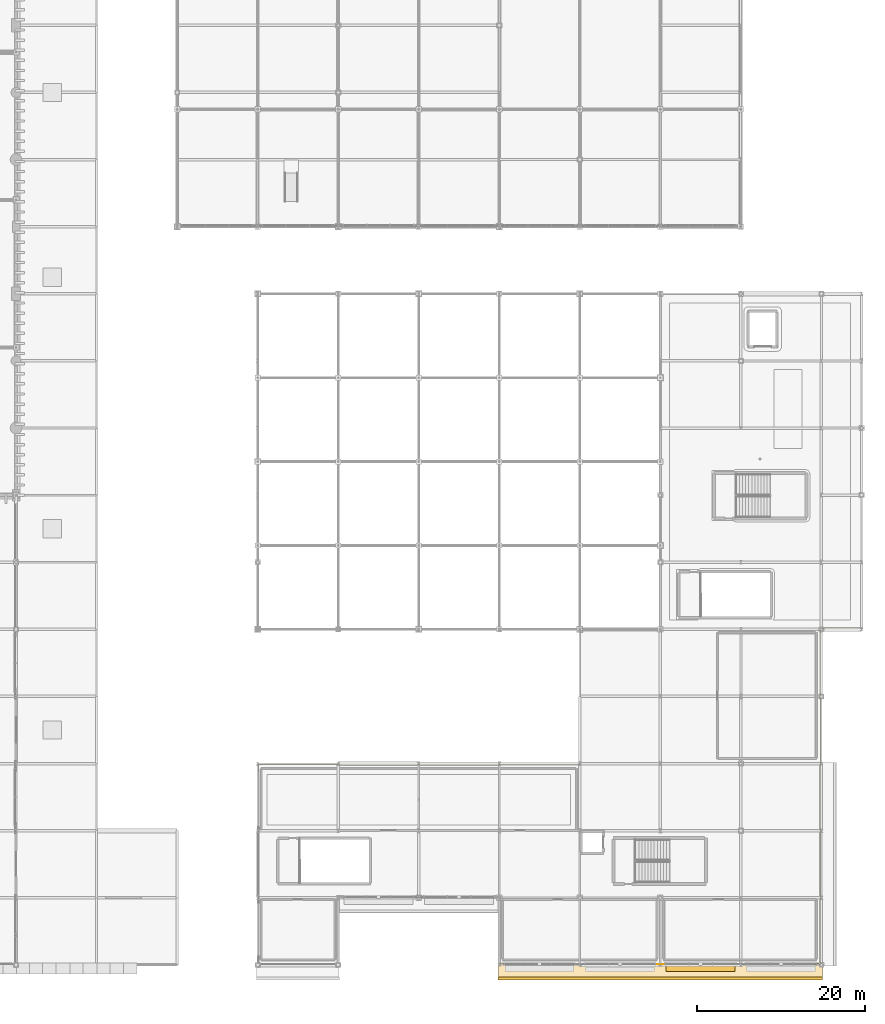
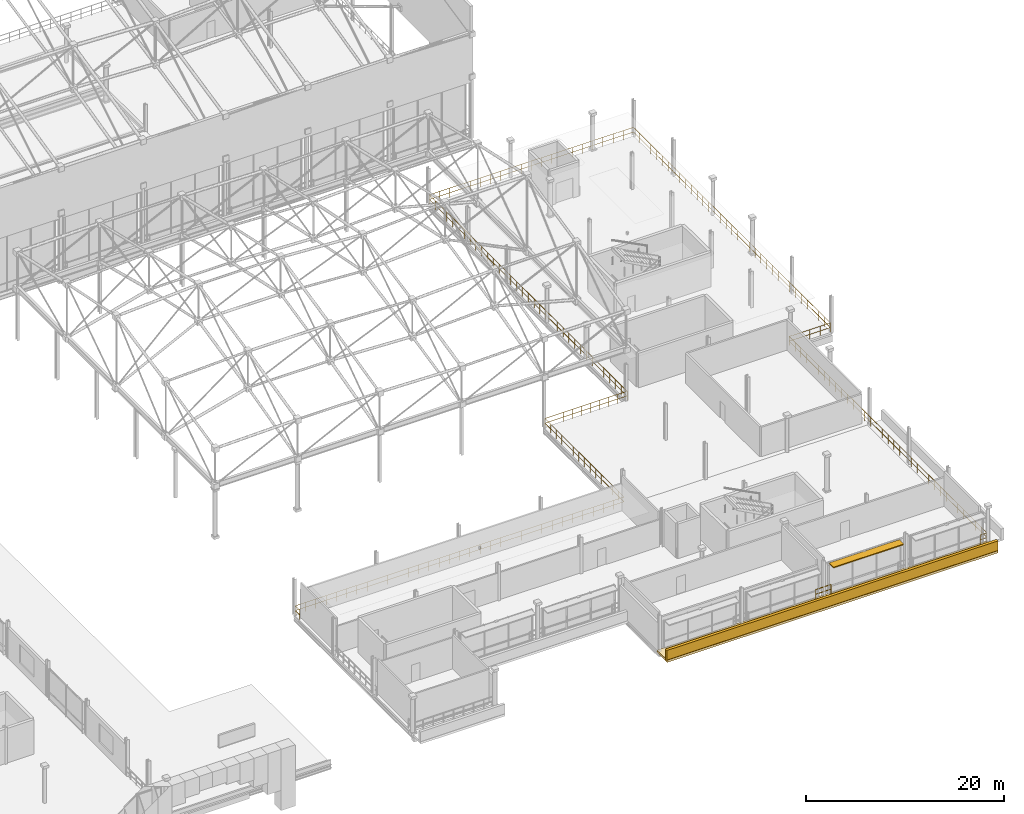
# One storey, part 186 of 193: 2 coverings, 2 railings, 1 shading device.
"""IFC4 building model written with IfcOpenShell, lengths in metres."""

from ifc_helpers import new_model, si_unit, direction, frame, origin, origin_2d, place, context, subcontext, project, spatial, rectangle, circle, extrude, material, layer, layer_set, type_object, element, save


model = new_model("IFC4")

# Units and contexts
model_context = context("Model", 3, precision=1e-05, world=origin(), true_north=direction((0.0, 1.0)))
body_context = subcontext(model_context, "Body", "Model", "MODEL_VIEW")
ifc_project = project(units=[si_unit("LENGTHUNIT", "METRE"), si_unit("AREAUNIT", "SQUARE_METRE"), si_unit("VOLUMEUNIT", "CUBIC_METRE"), si_unit("PLANEANGLEUNIT", "RADIAN"), si_unit("MASSUNIT", "GRAM", prefix="KILO")], contexts=[model_context])

# Site, building, storey
site_placement = place(None, origin())
site = spatial("IfcSite", under=ifc_project, at=site_placement, CompositionType="ELEMENT")
building_placement = place(site_placement, origin())
building = spatial("IfcBuilding", under=site, at=building_placement, Name="Danafjord Basin Convention Centre", CompositionType="ELEMENT")
storey_placement = place(building_placement, frame((0.0, 0.0, 11.39990234375)))
storey = spatial("IfcBuildingStorey", under=building, at=storey_placement, Name="L02", CompositionType="ELEMENT", Elevation=11.39990234375)

# Coverings
ifc_material_1 = material(Name="Architectural white precast concrete C45/55", Category="concrete")
ifc_layer = layer(ifc_material_1, 0.320068359375)
ifc_layer_set = layer_set([ifc_layer], Name="Architectural white precast concrete C45/55")
covering_type = type_object("IfcCoveringType", Name="COV-BAND-HORIZ", PredefinedType="CLADDING", material=ifc_layer_set)
covering_1_placement = place(storey_placement, frame((192.0, -0.77490234375, -0.27978515625), z_axis=(0.0, 0.0, 1.0), x_axis=(1.0, 0.0, 0.0)))
element("IfcCovering", 1, at=covering_1_placement, inside=storey, type_object=covering_type, Name="L02 stepped horizontal band soffit plate 65", PredefinedType="CLADDING", context=body_context, shape_type="SweptSolid", body=[
    extrude(rectangle(XDim=38.639892578125, YDim=2.050048828125, at=origin_2d()), origin(), (0.0, 0.0, 1.0), 0.280029296875),
])
covering_2_placement = place(storey_placement, frame((192.0, -1.610107421875, -0.23974609375), z_axis=(0.0, 0.0, 1.0), x_axis=(1.0, 0.0, 0.0)))
element("IfcCovering", 2, at=covering_2_placement, inside=storey, type_object=covering_type, Name="L02 layered horizontal white spandrel band 65", PredefinedType="CLADDING", context=body_context, shape_type="SweptSolid", body=[
    extrude(rectangle(XDim=38.679931640625, YDim=0.320068359375, at=origin_2d()), origin(), (0.0, 0.0, 1.0), 1.419921875),
])

# Railings
ifc_material_2 = material(Name="Laminated structural glass and stainless steel", Category="steel")
railing_type = type_object("IfcRailingType", Name="RL-BAL-GLS", PredefinedType="BALUSTRADE", material=ifc_material_2)
railing_1_placement = place(storey_placement, frame((144.080078125, 23.028076171875, 0.0)))
element("IfcRailing", 3, at=railing_1_placement, inside=storey, type_object=railing_type, Name="L02 safety guard balustrade 135", PredefinedType="BALUSTRADE", context=body_context, shape_type="SweptSolid", body=[
    extrude(circle(Radius=0.02392578125, at=origin_2d()), frame((0.0, 0.0, 1.1259765625), z_axis=(0.0, 1.0, 0.0), x_axis=(-1.0, 0.0, 0.0)), (0.0, 0.0, 1.0), 0.891845703125),
    extrude(circle(Radius=0.02392578125, at=origin_2d()), frame((0.0, 0.0, 0.55078125), z_axis=(0.0, 1.0, 0.0), x_axis=(-1.0, 0.0, 0.0)), (0.0, 0.0, 1.0), 0.891845703125),
    extrude(circle(Radius=0.02392578125, at=origin_2d()), frame((0.0, 0.891845703125, 1.1259765625), z_axis=(1.0, 0.0, 0.0), x_axis=(0.0, 1.0, 0.0)), (0.0, 0.0, 1.0), 38.39990234375),
    extrude(circle(Radius=0.02392578125, at=origin_2d()), frame((0.0, 0.891845703125, 0.55078125), z_axis=(1.0, 0.0, 0.0), x_axis=(0.0, 1.0, 0.0)), (0.0, 0.0, 1.0), 38.39990234375),
    extrude(circle(Radius=0.02392578125, at=origin_2d()), frame((38.39990234375, 0.891845703125, 1.1259765625), z_axis=(0.0, 1.0, 0.0), x_axis=(-1.0, 0.0, 0.0)), (0.0, 0.0, 1.0), 16.0),
    extrude(circle(Radius=0.02392578125, at=origin_2d()), frame((38.39990234375, 0.891845703125, 0.55078125), z_axis=(0.0, 1.0, 0.0), x_axis=(-1.0, 0.0, 0.0)), (0.0, 0.0, 1.0), 16.0),
    extrude(circle(Radius=0.02392578125, at=origin_2d()), frame((38.39990234375, 16.891845703125, 1.1259765625), z_axis=(1.0, 0.0, 0.0), x_axis=(0.0, 1.0, 0.0)), (0.0, 0.0, 1.0), 9.60009765625),
    extrude(circle(Radius=0.02392578125, at=origin_2d()), frame((38.39990234375, 16.891845703125, 0.55078125), z_axis=(1.0, 0.0, 0.0), x_axis=(0.0, 1.0, 0.0)), (0.0, 0.0, 1.0), 9.60009765625),
    extrude(circle(Radius=0.02392578125, at=origin_2d()), frame((48.0, 16.891845703125, 1.1259765625), z_axis=(0.0, 1.0, 0.0), x_axis=(-1.0, 0.0, 0.0)), (0.0, 0.0, 1.0), 40.0),
    extrude(circle(Radius=0.02392578125, at=origin_2d()), frame((48.0, 16.891845703125, 0.55078125), z_axis=(0.0, 1.0, 0.0), x_axis=(-1.0, 0.0, 0.0)), (0.0, 0.0, 1.0), 40.0),
    extrude(circle(Radius=0.02392578125, at=origin_2d()), frame((48.0, 56.891845703125, 1.1259765625), z_axis=(1.0, 0.0, 0.0), x_axis=(0.0, 1.0, 0.0)), (0.0, 0.0, 1.0), 23.83984375),
    extrude(circle(Radius=0.02392578125, at=origin_2d()), frame((48.0, 56.891845703125, 0.55078125), z_axis=(1.0, 0.0, 0.0), x_axis=(0.0, 1.0, 0.0)), (0.0, 0.0, 1.0), 23.83984375),
    extrude(circle(Radius=0.02392578125, at=origin_2d()), frame((71.83984375, 56.891845703125, 1.1259765625), z_axis=(0.0, -1.0, 0.0), x_axis=(1.0, 0.0, 0.0)), (0.0, 0.0, 1.0), 39.83984375),
    extrude(circle(Radius=0.02392578125, at=origin_2d()), frame((71.83984375, 56.891845703125, 0.55078125), z_axis=(0.0, -1.0, 0.0), x_axis=(1.0, 0.0, 0.0)), (0.0, 0.0, 1.0), 39.83984375),
    extrude(circle(Radius=0.02392578125, at=origin_2d()), frame((71.83984375, 17.052001953125, 1.1259765625), z_axis=(-1.0, 0.0, 0.0), x_axis=(0.0, -1.0, 0.0)), (0.0, 0.0, 1.0), 4.7998046875),
    extrude(circle(Radius=0.02392578125, at=origin_2d()), frame((71.83984375, 17.052001953125, 0.55078125), z_axis=(-1.0, 0.0, 0.0), x_axis=(0.0, -1.0, 0.0)), (0.0, 0.0, 1.0), 4.7998046875),
    extrude(circle(Radius=0.02392578125, at=origin_2d()), frame((67.0400390625, 17.052001953125, 1.1259765625), z_axis=(0.0, -1.0, 0.0), x_axis=(1.0, 0.0, 0.0)), (0.0, 0.0, 1.0), 40.0),
    extrude(circle(Radius=0.02392578125, at=origin_2d()), frame((67.0400390625, 17.052001953125, 0.55078125), z_axis=(0.0, -1.0, 0.0), x_axis=(1.0, 0.0, 0.0)), (0.0, 0.0, 1.0), 40.0),
    extrude(circle(Radius=0.02392578125, at=origin_2d()), frame((67.0400390625, -22.947998046875, 1.1259765625), z_axis=(-1.0, 0.0, 0.0), x_axis=(0.0, -1.0, 0.0)), (0.0, 0.0, 1.0), 0.800048828125),
    extrude(circle(Radius=0.02392578125, at=origin_2d()), frame((67.0400390625, -22.947998046875, 0.55078125), z_axis=(-1.0, 0.0, 0.0), x_axis=(0.0, -1.0, 0.0)), (0.0, 0.0, 1.0), 0.800048828125),
    extrude(circle(Radius=0.02099609375, at=origin_2d()), origin(), (0.0, 0.0, 1.0), 1.099853515625),
    extrude(circle(Radius=0.02099609375, at=origin_2d()), frame((0.0, 0.891845703125, 0.0)), (0.0, 0.0, 1.0), 1.099853515625),
    extrude(circle(Radius=0.02099609375, at=origin_2d()), frame((1.199951171875, 0.891845703125, 0.0)), (0.0, 0.0, 1.0), 1.099853515625),
    extrude(circle(Radius=0.02099609375, at=origin_2d()), frame((2.39990234375, 0.891845703125, 0.0)), (0.0, 0.0, 1.0), 1.099853515625),
    extrude(circle(Radius=0.02099609375, at=origin_2d()), frame((3.60009765625, 0.891845703125, 0.0)), (0.0, 0.0, 1.0), 1.099853515625),
    extrude(circle(Radius=0.02099609375, at=origin_2d()), frame((4.800048828125, 0.891845703125, 0.0)), (0.0, 0.0, 1.0), 1.099853515625),
    extrude(circle(Radius=0.02099609375, at=origin_2d()), frame((6.0, 0.891845703125, 0.0)), (0.0, 0.0, 1.0), 1.099853515625),
    extrude(circle(Radius=0.02099609375, at=origin_2d()), frame((7.199951171875, 0.891845703125, 0.0)), (0.0, 0.0, 1.0), 1.099853515625),
    extrude(circle(Radius=0.02099609375, at=origin_2d()), frame((8.39990234375, 0.891845703125, 0.0)), (0.0, 0.0, 1.0), 1.099853515625),
    extrude(circle(Radius=0.02099609375, at=origin_2d()), frame((9.60009765625, 0.891845703125, 0.0)), (0.0, 0.0, 1.0), 1.099853515625),
    extrude(circle(Radius=0.02099609375, at=origin_2d()), frame((10.800048828125, 0.891845703125, 0.0)), (0.0, 0.0, 1.0), 1.099853515625),
    extrude(circle(Radius=0.02099609375, at=origin_2d()), frame((12.0, 0.891845703125, 0.0)), (0.0, 0.0, 1.0), 1.099853515625),
    extrude(circle(Radius=0.02099609375, at=origin_2d()), frame((13.199951171875, 0.891845703125, 0.0)), (0.0, 0.0, 1.0), 1.099853515625),
    extrude(circle(Radius=0.02099609375, at=origin_2d()), frame((14.39990234375, 0.891845703125, 0.0)), (0.0, 0.0, 1.0), 1.099853515625),
    extrude(circle(Radius=0.02099609375, at=origin_2d()), frame((15.599853515625, 0.891845703125, 0.0)), (0.0, 0.0, 1.0), 1.099853515625),
    extrude(circle(Radius=0.02099609375, at=origin_2d()), frame((16.800048828125, 0.891845703125, 0.0)), (0.0, 0.0, 1.0), 1.099853515625),
    extrude(circle(Radius=0.02099609375, at=origin_2d()), frame((18.0, 0.891845703125, 0.0)), (0.0, 0.0, 1.0), 1.099853515625),
    extrude(circle(Radius=0.02099609375, at=origin_2d()), frame((19.199951171875, 0.891845703125, 0.0)), (0.0, 0.0, 1.0), 1.099853515625),
    extrude(circle(Radius=0.02099609375, at=origin_2d()), frame((20.39990234375, 0.891845703125, 0.0)), (0.0, 0.0, 1.0), 1.099853515625),
    extrude(circle(Radius=0.02099609375, at=origin_2d()), frame((21.599853515625, 0.891845703125, 0.0)), (0.0, 0.0, 1.0), 1.099853515625),
    extrude(circle(Radius=0.02099609375, at=origin_2d()), frame((22.800048828125, 0.891845703125, 0.0)), (0.0, 0.0, 1.0), 1.099853515625),
    extrude(circle(Radius=0.02099609375, at=origin_2d()), frame((24.0, 0.891845703125, 0.0)), (0.0, 0.0, 1.0), 1.099853515625),
    extrude(circle(Radius=0.02099609375, at=origin_2d()), frame((25.199951171875, 0.891845703125, 0.0)), (0.0, 0.0, 1.0), 1.099853515625),
    extrude(circle(Radius=0.02099609375, at=origin_2d()), frame((26.39990234375, 0.891845703125, 0.0)), (0.0, 0.0, 1.0), 1.099853515625),
    extrude(circle(Radius=0.02099609375, at=origin_2d()), frame((27.599853515625, 0.891845703125, 0.0)), (0.0, 0.0, 1.0), 1.099853515625),
    extrude(circle(Radius=0.02099609375, at=origin_2d()), frame((28.7998046875, 0.891845703125, 0.0)), (0.0, 0.0, 1.0), 1.099853515625),
    extrude(circle(Radius=0.02099609375, at=origin_2d()), frame((30.0, 0.891845703125, 0.0)), (0.0, 0.0, 1.0), 1.099853515625),
    extrude(circle(Radius=0.02099609375, at=origin_2d()), frame((31.199951171875, 0.891845703125, 0.0)), (0.0, 0.0, 1.0), 1.099853515625),
    extrude(circle(Radius=0.02099609375, at=origin_2d()), frame((32.39990234375, 0.891845703125, 0.0)), (0.0, 0.0, 1.0), 1.099853515625),
    extrude(circle(Radius=0.02099609375, at=origin_2d()), frame((33.599853515625, 0.891845703125, 0.0)), (0.0, 0.0, 1.0), 1.099853515625),
    extrude(circle(Radius=0.02099609375, at=origin_2d()), frame((34.7998046875, 0.891845703125, 0.0)), (0.0, 0.0, 1.0), 1.099853515625),
    extrude(circle(Radius=0.02099609375, at=origin_2d()), frame((36.0, 0.891845703125, 0.0)), (0.0, 0.0, 1.0), 1.099853515625),
    extrude(circle(Radius=0.02099609375, at=origin_2d()), frame((37.199951171875, 0.891845703125, 0.0)), (0.0, 0.0, 1.0), 1.099853515625),
    extrude(circle(Radius=0.02099609375, at=origin_2d()), frame((38.39990234375, 0.891845703125, 0.0)), (0.0, 0.0, 1.0), 1.099853515625),
    extrude(circle(Radius=0.02099609375, at=origin_2d()), frame((38.39990234375, 2.03466796875, 0.0)), (0.0, 0.0, 1.0), 1.099853515625),
    extrude(circle(Radius=0.02099609375, at=origin_2d()), frame((38.39990234375, 3.177490234375, 0.0)), (0.0, 0.0, 1.0), 1.099853515625),
    extrude(circle(Radius=0.02099609375, at=origin_2d()), frame((38.39990234375, 4.3203125, 0.0)), (0.0, 0.0, 1.0), 1.099853515625),
    extrude(circle(Radius=0.02099609375, at=origin_2d()), frame((38.39990234375, 5.46337890625, 0.0)), (0.0, 0.0, 1.0), 1.099853515625),
    extrude(circle(Radius=0.02099609375, at=origin_2d()), frame((38.39990234375, 6.606201171875, 0.0)), (0.0, 0.0, 1.0), 1.099853515625),
    extrude(circle(Radius=0.02099609375, at=origin_2d()), frame((38.39990234375, 7.7490234375, 0.0)), (0.0, 0.0, 1.0), 1.099853515625),
    extrude(circle(Radius=0.02099609375, at=origin_2d()), frame((38.39990234375, 8.891845703125, 0.0)), (0.0, 0.0, 1.0), 1.099853515625),
    extrude(circle(Radius=0.02099609375, at=origin_2d()), frame((38.39990234375, 10.03466796875, 0.0)), (0.0, 0.0, 1.0), 1.099853515625),
    extrude(circle(Radius=0.02099609375, at=origin_2d()), frame((38.39990234375, 11.177490234375, 0.0)), (0.0, 0.0, 1.0), 1.099853515625),
    extrude(circle(Radius=0.02099609375, at=origin_2d()), frame((38.39990234375, 12.3203125, 0.0)), (0.0, 0.0, 1.0), 1.099853515625),
    extrude(circle(Radius=0.02099609375, at=origin_2d()), frame((38.39990234375, 13.46337890625, 0.0)), (0.0, 0.0, 1.0), 1.099853515625),
    extrude(circle(Radius=0.02099609375, at=origin_2d()), frame((38.39990234375, 14.606201171875, 0.0)), (0.0, 0.0, 1.0), 1.099853515625),
    extrude(circle(Radius=0.02099609375, at=origin_2d()), frame((38.39990234375, 15.7490234375, 0.0)), (0.0, 0.0, 1.0), 1.099853515625),
    extrude(circle(Radius=0.02099609375, at=origin_2d()), frame((38.39990234375, 16.891845703125, 0.0)), (0.0, 0.0, 1.0), 1.099853515625),
    extrude(circle(Radius=0.02099609375, at=origin_2d()), frame((39.466552734375, 16.891845703125, 0.0)), (0.0, 0.0, 1.0), 1.099853515625),
    extrude(circle(Radius=0.02099609375, at=origin_2d()), frame((40.533203125, 16.891845703125, 0.0)), (0.0, 0.0, 1.0), 1.099853515625),
    extrude(circle(Radius=0.02099609375, at=origin_2d()), frame((41.599853515625, 16.891845703125, 0.0)), (0.0, 0.0, 1.0), 1.099853515625),
    extrude(circle(Radius=0.02099609375, at=origin_2d()), frame((42.66650390625, 16.891845703125, 0.0)), (0.0, 0.0, 1.0), 1.099853515625),
    extrude(circle(Radius=0.02099609375, at=origin_2d()), frame((43.7333984375, 16.891845703125, 0.0)), (0.0, 0.0, 1.0), 1.099853515625),
    extrude(circle(Radius=0.02099609375, at=origin_2d()), frame((44.800048828125, 16.891845703125, 0.0)), (0.0, 0.0, 1.0), 1.099853515625),
    extrude(circle(Radius=0.02099609375, at=origin_2d()), frame((45.86669921875, 16.891845703125, 0.0)), (0.0, 0.0, 1.0), 1.099853515625),
    extrude(circle(Radius=0.02099609375, at=origin_2d()), frame((46.933349609375, 16.891845703125, 0.0)), (0.0, 0.0, 1.0), 1.099853515625),
    extrude(circle(Radius=0.02099609375, at=origin_2d()), frame((48.0, 16.891845703125, 0.0)), (0.0, 0.0, 1.0), 1.099853515625),
    extrude(circle(Radius=0.02099609375, at=origin_2d()), frame((48.0, 18.068359375, 0.0)), (0.0, 0.0, 1.0), 1.099853515625),
    extrude(circle(Radius=0.02099609375, at=origin_2d()), frame((48.0, 19.244873046875, 0.0)), (0.0, 0.0, 1.0), 1.099853515625),
    extrude(circle(Radius=0.02099609375, at=origin_2d()), frame((48.0, 20.421142578125, 0.0)), (0.0, 0.0, 1.0), 1.099853515625),
    extrude(circle(Radius=0.02099609375, at=origin_2d()), frame((48.0, 21.59765625, 0.0)), (0.0, 0.0, 1.0), 1.099853515625),
    extrude(circle(Radius=0.02099609375, at=origin_2d()), frame((48.0, 22.774169921875, 0.0)), (0.0, 0.0, 1.0), 1.099853515625),
    extrude(circle(Radius=0.02099609375, at=origin_2d()), frame((48.0, 23.95068359375, 0.0)), (0.0, 0.0, 1.0), 1.099853515625),
    extrude(circle(Radius=0.02099609375, at=origin_2d()), frame((48.0, 25.127197265625, 0.0)), (0.0, 0.0, 1.0), 1.099853515625),
    extrude(circle(Radius=0.02099609375, at=origin_2d()), frame((48.0, 26.3037109375, 0.0)), (0.0, 0.0, 1.0), 1.099853515625),
    extrude(circle(Radius=0.02099609375, at=origin_2d()), frame((48.0, 27.47998046875, 0.0)), (0.0, 0.0, 1.0), 1.099853515625),
    extrude(circle(Radius=0.02099609375, at=origin_2d()), frame((48.0, 28.656494140625, 0.0)), (0.0, 0.0, 1.0), 1.099853515625),
    extrude(circle(Radius=0.02099609375, at=origin_2d()), frame((48.0, 29.8330078125, 0.0)), (0.0, 0.0, 1.0), 1.099853515625),
    extrude(circle(Radius=0.02099609375, at=origin_2d()), frame((48.0, 31.009521484375, 0.0)), (0.0, 0.0, 1.0), 1.099853515625),
    extrude(circle(Radius=0.02099609375, at=origin_2d()), frame((48.0, 32.18603515625, 0.0)), (0.0, 0.0, 1.0), 1.099853515625),
    extrude(circle(Radius=0.02099609375, at=origin_2d()), frame((48.0, 33.362548828125, 0.0)), (0.0, 0.0, 1.0), 1.099853515625),
    extrude(circle(Radius=0.02099609375, at=origin_2d()), frame((48.0, 34.538818359375, 0.0)), (0.0, 0.0, 1.0), 1.099853515625),
    extrude(circle(Radius=0.02099609375, at=origin_2d()), frame((48.0, 35.71533203125, 0.0)), (0.0, 0.0, 1.0), 1.099853515625),
    extrude(circle(Radius=0.02099609375, at=origin_2d()), frame((48.0, 36.891845703125, 0.0)), (0.0, 0.0, 1.0), 1.099853515625),
    extrude(circle(Radius=0.02099609375, at=origin_2d()), frame((48.0, 38.068359375, 0.0)), (0.0, 0.0, 1.0), 1.099853515625),
    extrude(circle(Radius=0.02099609375, at=origin_2d()), frame((48.0, 39.244873046875, 0.0)), (0.0, 0.0, 1.0), 1.099853515625),
    extrude(circle(Radius=0.02099609375, at=origin_2d()), frame((48.0, 40.421142578125, 0.0)), (0.0, 0.0, 1.0), 1.099853515625),
    extrude(circle(Radius=0.02099609375, at=origin_2d()), frame((48.0, 41.59765625, 0.0)), (0.0, 0.0, 1.0), 1.099853515625),
    extrude(circle(Radius=0.02099609375, at=origin_2d()), frame((48.0, 42.774169921875, 0.0)), (0.0, 0.0, 1.0), 1.099853515625),
    extrude(circle(Radius=0.02099609375, at=origin_2d()), frame((48.0, 43.95068359375, 0.0)), (0.0, 0.0, 1.0), 1.099853515625),
    extrude(circle(Radius=0.02099609375, at=origin_2d()), frame((48.0, 45.127197265625, 0.0)), (0.0, 0.0, 1.0), 1.099853515625),
    extrude(circle(Radius=0.02099609375, at=origin_2d()), frame((48.0, 46.3037109375, 0.0)), (0.0, 0.0, 1.0), 1.099853515625),
    extrude(circle(Radius=0.02099609375, at=origin_2d()), frame((48.0, 47.47998046875, 0.0)), (0.0, 0.0, 1.0), 1.099853515625),
    extrude(circle(Radius=0.02099609375, at=origin_2d()), frame((48.0, 48.656494140625, 0.0)), (0.0, 0.0, 1.0), 1.099853515625),
    extrude(circle(Radius=0.02099609375, at=origin_2d()), frame((48.0, 49.8330078125, 0.0)), (0.0, 0.0, 1.0), 1.099853515625),
    extrude(circle(Radius=0.02099609375, at=origin_2d()), frame((48.0, 51.009521484375, 0.0)), (0.0, 0.0, 1.0), 1.099853515625),
    extrude(circle(Radius=0.02099609375, at=origin_2d()), frame((48.0, 52.18603515625, 0.0)), (0.0, 0.0, 1.0), 1.099853515625),
    extrude(circle(Radius=0.02099609375, at=origin_2d()), frame((48.0, 53.362548828125, 0.0)), (0.0, 0.0, 1.0), 1.099853515625),
    extrude(circle(Radius=0.02099609375, at=origin_2d()), frame((48.0, 54.538818359375, 0.0)), (0.0, 0.0, 1.0), 1.099853515625),
    extrude(circle(Radius=0.02099609375, at=origin_2d()), frame((48.0, 55.71533203125, 0.0)), (0.0, 0.0, 1.0), 1.099853515625),
    extrude(circle(Radius=0.02099609375, at=origin_2d()), frame((48.0, 56.891845703125, 0.0)), (0.0, 0.0, 1.0), 1.099853515625),
    extrude(circle(Radius=0.02099609375, at=origin_2d()), frame((49.19189453125, 56.891845703125, 0.0)), (0.0, 0.0, 1.0), 1.099853515625),
    extrude(circle(Radius=0.02099609375, at=origin_2d()), frame((50.384033203125, 56.891845703125, 0.0)), (0.0, 0.0, 1.0), 1.099853515625),
    extrude(circle(Radius=0.02099609375, at=origin_2d()), frame((51.575927734375, 56.891845703125, 0.0)), (0.0, 0.0, 1.0), 1.099853515625),
    extrude(circle(Radius=0.02099609375, at=origin_2d()), frame((52.76806640625, 56.891845703125, 0.0)), (0.0, 0.0, 1.0), 1.099853515625),
    extrude(circle(Radius=0.02099609375, at=origin_2d()), frame((53.9599609375, 56.891845703125, 0.0)), (0.0, 0.0, 1.0), 1.099853515625),
    extrude(circle(Radius=0.02099609375, at=origin_2d()), frame((55.15185546875, 56.891845703125, 0.0)), (0.0, 0.0, 1.0), 1.099853515625),
    extrude(circle(Radius=0.02099609375, at=origin_2d()), frame((56.343994140625, 56.891845703125, 0.0)), (0.0, 0.0, 1.0), 1.099853515625),
    extrude(circle(Radius=0.02099609375, at=origin_2d()), frame((57.535888671875, 56.891845703125, 0.0)), (0.0, 0.0, 1.0), 1.099853515625),
    extrude(circle(Radius=0.02099609375, at=origin_2d()), frame((58.72802734375, 56.891845703125, 0.0)), (0.0, 0.0, 1.0), 1.099853515625),
    extrude(circle(Radius=0.02099609375, at=origin_2d()), frame((59.919921875, 56.891845703125, 0.0)), (0.0, 0.0, 1.0), 1.099853515625),
    extrude(circle(Radius=0.02099609375, at=origin_2d()), frame((61.11181640625, 56.891845703125, 0.0)), (0.0, 0.0, 1.0), 1.099853515625),
    extrude(circle(Radius=0.02099609375, at=origin_2d()), frame((62.303955078125, 56.891845703125, 0.0)), (0.0, 0.0, 1.0), 1.099853515625),
    extrude(circle(Radius=0.02099609375, at=origin_2d()), frame((63.495849609375, 56.891845703125, 0.0)), (0.0, 0.0, 1.0), 1.099853515625),
    extrude(circle(Radius=0.02099609375, at=origin_2d()), frame((64.68798828125, 56.891845703125, 0.0)), (0.0, 0.0, 1.0), 1.099853515625),
    extrude(circle(Radius=0.02099609375, at=origin_2d()), frame((65.8798828125, 56.891845703125, 0.0)), (0.0, 0.0, 1.0), 1.099853515625),
    extrude(circle(Radius=0.02099609375, at=origin_2d()), frame((67.07177734375, 56.891845703125, 0.0)), (0.0, 0.0, 1.0), 1.099853515625),
    extrude(circle(Radius=0.02099609375, at=origin_2d()), frame((68.263916015625, 56.891845703125, 0.0)), (0.0, 0.0, 1.0), 1.099853515625),
    extrude(circle(Radius=0.02099609375, at=origin_2d()), frame((69.455810546875, 56.891845703125, 0.0)), (0.0, 0.0, 1.0), 1.099853515625),
    extrude(circle(Radius=0.02099609375, at=origin_2d()), frame((70.64794921875, 56.891845703125, 0.0)), (0.0, 0.0, 1.0), 1.099853515625),
    extrude(circle(Radius=0.02099609375, at=origin_2d()), frame((71.83984375, 56.891845703125, 0.0)), (0.0, 0.0, 1.0), 1.099853515625),
    extrude(circle(Radius=0.02099609375, at=origin_2d()), frame((71.83984375, 55.719970703125, 0.0)), (0.0, 0.0, 1.0), 1.099853515625),
    extrude(circle(Radius=0.02099609375, at=origin_2d()), frame((71.83984375, 54.54833984375, 0.0)), (0.0, 0.0, 1.0), 1.099853515625),
    extrude(circle(Radius=0.02099609375, at=origin_2d()), frame((71.83984375, 53.37646484375, 0.0)), (0.0, 0.0, 1.0), 1.099853515625),
    extrude(circle(Radius=0.02099609375, at=origin_2d()), frame((71.83984375, 52.204833984375, 0.0)), (0.0, 0.0, 1.0), 1.099853515625),
    extrude(circle(Radius=0.02099609375, at=origin_2d()), frame((71.83984375, 51.032958984375, 0.0)), (0.0, 0.0, 1.0), 1.099853515625),
    extrude(circle(Radius=0.02099609375, at=origin_2d()), frame((71.83984375, 49.861328125, 0.0)), (0.0, 0.0, 1.0), 1.099853515625),
    extrude(circle(Radius=0.02099609375, at=origin_2d()), frame((71.83984375, 48.689453125, 0.0)), (0.0, 0.0, 1.0), 1.099853515625),
    extrude(circle(Radius=0.02099609375, at=origin_2d()), frame((71.83984375, 47.517822265625, 0.0)), (0.0, 0.0, 1.0), 1.099853515625),
    extrude(circle(Radius=0.02099609375, at=origin_2d()), frame((71.83984375, 46.345947265625, 0.0)), (0.0, 0.0, 1.0), 1.099853515625),
    extrude(circle(Radius=0.02099609375, at=origin_2d()), frame((71.83984375, 45.17431640625, 0.0)), (0.0, 0.0, 1.0), 1.099853515625),
    extrude(circle(Radius=0.02099609375, at=origin_2d()), frame((71.83984375, 44.00244140625, 0.0)), (0.0, 0.0, 1.0), 1.099853515625),
    extrude(circle(Radius=0.02099609375, at=origin_2d()), frame((71.83984375, 42.830810546875, 0.0)), (0.0, 0.0, 1.0), 1.099853515625),
    extrude(circle(Radius=0.02099609375, at=origin_2d()), frame((71.83984375, 41.658935546875, 0.0)), (0.0, 0.0, 1.0), 1.099853515625),
    extrude(circle(Radius=0.02099609375, at=origin_2d()), frame((71.83984375, 40.4873046875, 0.0)), (0.0, 0.0, 1.0), 1.099853515625),
    extrude(circle(Radius=0.02099609375, at=origin_2d()), frame((71.83984375, 39.3154296875, 0.0)), (0.0, 0.0, 1.0), 1.099853515625),
    extrude(circle(Radius=0.02099609375, at=origin_2d()), frame((71.83984375, 38.143798828125, 0.0)), (0.0, 0.0, 1.0), 1.099853515625),
    extrude(circle(Radius=0.02099609375, at=origin_2d()), frame((71.83984375, 36.971923828125, 0.0)), (0.0, 0.0, 1.0), 1.099853515625),
    extrude(circle(Radius=0.02099609375, at=origin_2d()), frame((71.83984375, 35.800048828125, 0.0)), (0.0, 0.0, 1.0), 1.099853515625),
    extrude(circle(Radius=0.02099609375, at=origin_2d()), frame((71.83984375, 34.62841796875, 0.0)), (0.0, 0.0, 1.0), 1.099853515625),
    extrude(circle(Radius=0.02099609375, at=origin_2d()), frame((71.83984375, 33.45654296875, 0.0)), (0.0, 0.0, 1.0), 1.099853515625),
    extrude(circle(Radius=0.02099609375, at=origin_2d()), frame((71.83984375, 32.284912109375, 0.0)), (0.0, 0.0, 1.0), 1.099853515625),
    extrude(circle(Radius=0.02099609375, at=origin_2d()), frame((71.83984375, 31.113037109375, 0.0)), (0.0, 0.0, 1.0), 1.099853515625),
    extrude(circle(Radius=0.02099609375, at=origin_2d()), frame((71.83984375, 29.94140625, 0.0)), (0.0, 0.0, 1.0), 1.099853515625),
    extrude(circle(Radius=0.02099609375, at=origin_2d()), frame((71.83984375, 28.76953125, 0.0)), (0.0, 0.0, 1.0), 1.099853515625),
    extrude(circle(Radius=0.02099609375, at=origin_2d()), frame((71.83984375, 27.597900390625, 0.0)), (0.0, 0.0, 1.0), 1.099853515625),
    extrude(circle(Radius=0.02099609375, at=origin_2d()), frame((71.83984375, 26.426025390625, 0.0)), (0.0, 0.0, 1.0), 1.099853515625),
    extrude(circle(Radius=0.02099609375, at=origin_2d()), frame((71.83984375, 25.25439453125, 0.0)), (0.0, 0.0, 1.0), 1.099853515625),
    extrude(circle(Radius=0.02099609375, at=origin_2d()), frame((71.83984375, 24.08251953125, 0.0)), (0.0, 0.0, 1.0), 1.099853515625),
    extrude(circle(Radius=0.02099609375, at=origin_2d()), frame((71.83984375, 22.910888671875, 0.0)), (0.0, 0.0, 1.0), 1.099853515625),
    extrude(circle(Radius=0.02099609375, at=origin_2d()), frame((71.83984375, 21.739013671875, 0.0)), (0.0, 0.0, 1.0), 1.099853515625),
    extrude(circle(Radius=0.02099609375, at=origin_2d()), frame((71.83984375, 20.5673828125, 0.0)), (0.0, 0.0, 1.0), 1.099853515625),
    extrude(circle(Radius=0.02099609375, at=origin_2d()), frame((71.83984375, 19.3955078125, 0.0)), (0.0, 0.0, 1.0), 1.099853515625),
    extrude(circle(Radius=0.02099609375, at=origin_2d()), frame((71.83984375, 18.223876953125, 0.0)), (0.0, 0.0, 1.0), 1.099853515625),
    extrude(circle(Radius=0.02099609375, at=origin_2d()), frame((71.83984375, 17.052001953125, 0.0)), (0.0, 0.0, 1.0), 1.099853515625),
    extrude(circle(Radius=0.02099609375, at=origin_2d()), frame((70.639892578125, 17.052001953125, 0.0)), (0.0, 0.0, 1.0), 1.099853515625),
    extrude(circle(Radius=0.02099609375, at=origin_2d()), frame((69.43994140625, 17.052001953125, 0.0)), (0.0, 0.0, 1.0), 1.099853515625),
    extrude(circle(Radius=0.02099609375, at=origin_2d()), frame((68.239990234375, 17.052001953125, 0.0)), (0.0, 0.0, 1.0), 1.099853515625),
    extrude(circle(Radius=0.02099609375, at=origin_2d()), frame((67.0400390625, 17.052001953125, 0.0)), (0.0, 0.0, 1.0), 1.099853515625),
    extrude(circle(Radius=0.02099609375, at=origin_2d()), frame((67.0400390625, 15.87548828125, 0.0)), (0.0, 0.0, 1.0), 1.099853515625),
    extrude(circle(Radius=0.02099609375, at=origin_2d()), frame((67.0400390625, 14.698974609375, 0.0)), (0.0, 0.0, 1.0), 1.099853515625),
    extrude(circle(Radius=0.02099609375, at=origin_2d()), frame((67.0400390625, 13.522705078125, 0.0)), (0.0, 0.0, 1.0), 1.099853515625),
    extrude(circle(Radius=0.02099609375, at=origin_2d()), frame((67.0400390625, 12.34619140625, 0.0)), (0.0, 0.0, 1.0), 1.099853515625),
    extrude(circle(Radius=0.02099609375, at=origin_2d()), frame((67.0400390625, 11.169677734375, 0.0)), (0.0, 0.0, 1.0), 1.099853515625),
    extrude(circle(Radius=0.02099609375, at=origin_2d()), frame((67.0400390625, 9.9931640625, 0.0)), (0.0, 0.0, 1.0), 1.099853515625),
    extrude(circle(Radius=0.02099609375, at=origin_2d()), frame((67.0400390625, 8.816650390625, 0.0)), (0.0, 0.0, 1.0), 1.099853515625),
    extrude(circle(Radius=0.02099609375, at=origin_2d()), frame((67.0400390625, 7.64013671875, 0.0)), (0.0, 0.0, 1.0), 1.099853515625),
    extrude(circle(Radius=0.02099609375, at=origin_2d()), frame((67.0400390625, 6.4638671875, 0.0)), (0.0, 0.0, 1.0), 1.099853515625),
    extrude(circle(Radius=0.02099609375, at=origin_2d()), frame((67.0400390625, 5.287353515625, 0.0)), (0.0, 0.0, 1.0), 1.099853515625),
    extrude(circle(Radius=0.02099609375, at=origin_2d()), frame((67.0400390625, 4.11083984375, 0.0)), (0.0, 0.0, 1.0), 1.099853515625),
    extrude(circle(Radius=0.02099609375, at=origin_2d()), frame((67.0400390625, 2.934326171875, 0.0)), (0.0, 0.0, 1.0), 1.099853515625),
    extrude(circle(Radius=0.02099609375, at=origin_2d()), frame((67.0400390625, 1.7578125, 0.0)), (0.0, 0.0, 1.0), 1.099853515625),
    extrude(circle(Radius=0.02099609375, at=origin_2d()), frame((67.0400390625, 0.581298828125, 0.0)), (0.0, 0.0, 1.0), 1.099853515625),
    extrude(circle(Radius=0.02099609375, at=origin_2d()), frame((67.0400390625, -0.594970703125, 0.0)), (0.0, 0.0, 1.0), 1.099853515625),
    extrude(circle(Radius=0.02099609375, at=origin_2d()), frame((67.0400390625, -1.771484375, 0.0)), (0.0, 0.0, 1.0), 1.099853515625),
    extrude(circle(Radius=0.02099609375, at=origin_2d()), frame((67.0400390625, -2.947998046875, 0.0)), (0.0, 0.0, 1.0), 1.099853515625),
    extrude(circle(Radius=0.02099609375, at=origin_2d()), frame((67.0400390625, -4.12451171875, 0.0)), (0.0, 0.0, 1.0), 1.099853515625),
    extrude(circle(Radius=0.02099609375, at=origin_2d()), frame((67.0400390625, -5.301025390625, 0.0)), (0.0, 0.0, 1.0), 1.099853515625),
    extrude(circle(Radius=0.02099609375, at=origin_2d()), frame((67.0400390625, -6.477294921875, 0.0)), (0.0, 0.0, 1.0), 1.099853515625),
    extrude(circle(Radius=0.02099609375, at=origin_2d()), frame((67.0400390625, -7.65380859375, 0.0)), (0.0, 0.0, 1.0), 1.099853515625),
    extrude(circle(Radius=0.02099609375, at=origin_2d()), frame((67.0400390625, -8.830322265625, 0.0)), (0.0, 0.0, 1.0), 1.099853515625),
    extrude(circle(Radius=0.02099609375, at=origin_2d()), frame((67.0400390625, -10.0068359375, 0.0)), (0.0, 0.0, 1.0), 1.099853515625),
    extrude(circle(Radius=0.02099609375, at=origin_2d()), frame((67.0400390625, -11.183349609375, 0.0)), (0.0, 0.0, 1.0), 1.099853515625),
    extrude(circle(Radius=0.02099609375, at=origin_2d()), frame((67.0400390625, -12.35986328125, 0.0)), (0.0, 0.0, 1.0), 1.099853515625),
    extrude(circle(Radius=0.02099609375, at=origin_2d()), frame((67.0400390625, -13.5361328125, 0.0)), (0.0, 0.0, 1.0), 1.099853515625),
    extrude(circle(Radius=0.02099609375, at=origin_2d()), frame((67.0400390625, -14.712646484375, 0.0)), (0.0, 0.0, 1.0), 1.099853515625),
    extrude(circle(Radius=0.02099609375, at=origin_2d()), frame((67.0400390625, -15.88916015625, 0.0)), (0.0, 0.0, 1.0), 1.099853515625),
    extrude(circle(Radius=0.02099609375, at=origin_2d()), frame((67.0400390625, -17.065673828125, 0.0)), (0.0, 0.0, 1.0), 1.099853515625),
    extrude(circle(Radius=0.02099609375, at=origin_2d()), frame((67.0400390625, -18.2421875, 0.0)), (0.0, 0.0, 1.0), 1.099853515625),
    extrude(circle(Radius=0.02099609375, at=origin_2d()), frame((67.0400390625, -19.418701171875, 0.0)), (0.0, 0.0, 1.0), 1.099853515625),
    extrude(circle(Radius=0.02099609375, at=origin_2d()), frame((67.0400390625, -20.594970703125, 0.0)), (0.0, 0.0, 1.0), 1.099853515625),
    extrude(circle(Radius=0.02099609375, at=origin_2d()), frame((67.0400390625, -21.771484375, 0.0)), (0.0, 0.0, 1.0), 1.099853515625),
    extrude(circle(Radius=0.02099609375, at=origin_2d()), frame((67.0400390625, -22.947998046875, 0.0)), (0.0, 0.0, 1.0), 1.099853515625),
    extrude(circle(Radius=0.02099609375, at=origin_2d()), frame((66.239990234375, -22.947998046875, 0.0)), (0.0, 0.0, 1.0), 1.099853515625),
])
railing_2_placement = place(storey_placement, frame((192.8798828125, 0.080078125, 0.0)))
element("IfcRailing", 4, at=railing_2_placement, inside=storey, type_object=railing_type, Name="L02 safety guard balustrade 137", PredefinedType="BALUSTRADE", context=body_context, shape_type="SweptSolid", body=[
    extrude(circle(Radius=0.02392578125, at=origin_2d()), frame((0.0, 0.0, 1.1259765625), z_axis=(-1.0, 0.0, 0.0), x_axis=(0.0, -1.0, 0.0)), (0.0, 0.0, 1.0), 1.759765625),
    extrude(circle(Radius=0.02392578125, at=origin_2d()), frame((0.0, 0.0, 0.55078125), z_axis=(-1.0, 0.0, 0.0), x_axis=(0.0, -1.0, 0.0)), (0.0, 0.0, 1.0), 1.759765625),
    extrude(circle(Radius=0.02099609375, at=origin_2d()), origin(), (0.0, 0.0, 1.0), 1.099853515625),
    extrude(circle(Radius=0.02099609375, at=origin_2d()), frame((-0.8798828125, 0.0, 0.0)), (0.0, 0.0, 1.0), 1.099853515625),
    extrude(circle(Radius=0.02099609375, at=origin_2d()), frame((-1.759765625, 0.0, 0.0)), (0.0, 0.0, 1.0), 1.099853515625),
])

# Shading device
ifc_material_3 = material(Name="Anodised aluminium aerofoil sunshade", Category="aluminium")
shading_device_type = type_object("IfcShadingDeviceType", Name="SHD-SUN-A", PredefinedType="USERDEFINED", material=ifc_material_3)
shading_device_placement = place(storey_placement, frame((196.800048828125, -0.340087890625, 3.736083984375), z_axis=(0.0, 0.0, 1.0), x_axis=(1.0, 0.0, 0.0)))
element("IfcShadingDevice", 5, at=shading_device_placement, inside=storey, type_object=shading_device_type, Name="L02 cantilevered harbour sunshade 19", ObjectType="SUNSHADE", PredefinedType="USERDEFINED", context=body_context, shape_type="SweptSolid", body=[
    extrude(rectangle(XDim=8.199951171875, YDim=0.89990234375, at=origin_2d()), origin(), (0.0, 0.0, 1.0), 0.1201171875),
])

save(model, "model.ifc")
